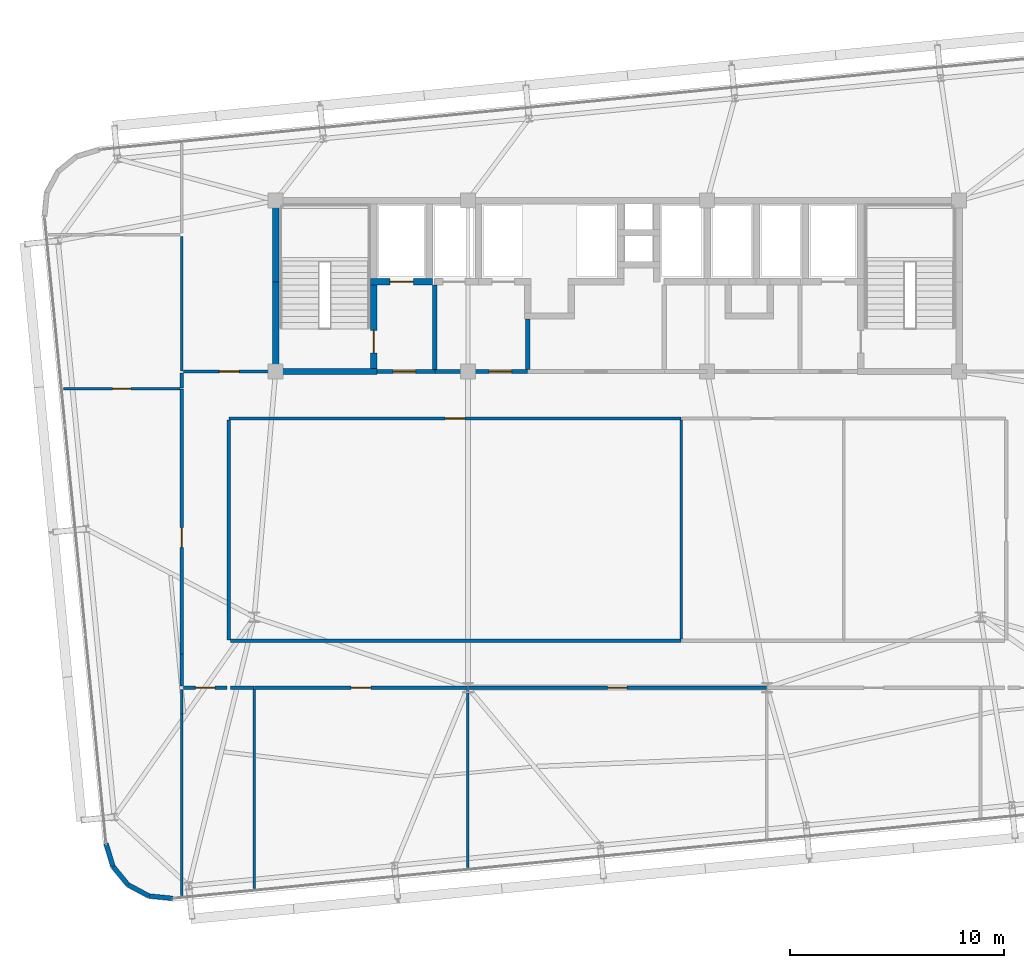
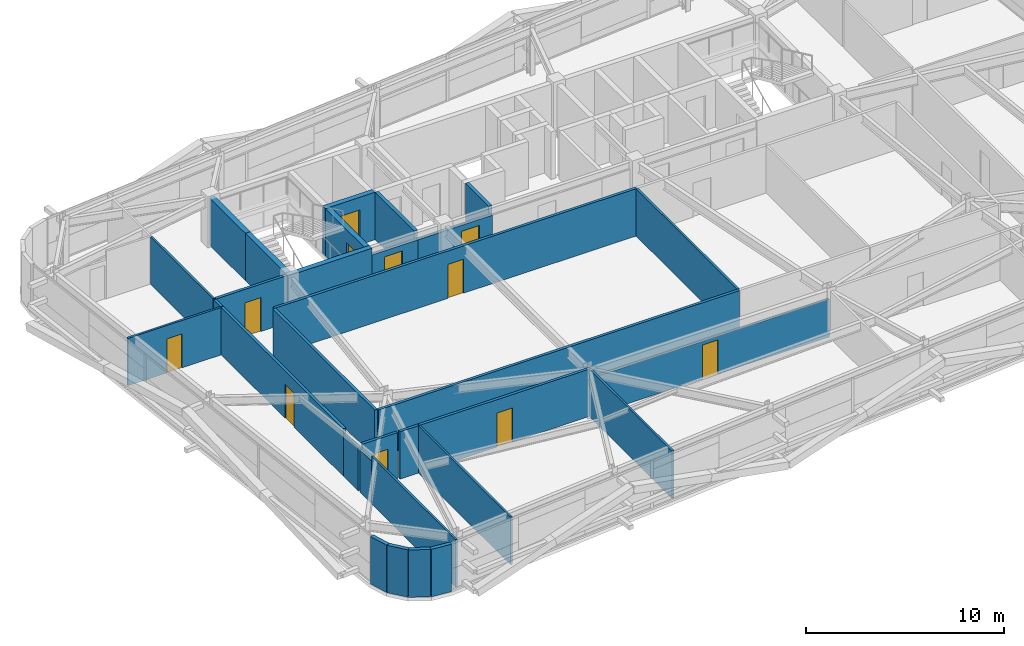
# One storey, part 41 of 47: 31 walls, 11 doors, 11 openings.
"""IFC4 building model written with IfcOpenShell, lengths in metres."""

from ifc_helpers import new_model, si_unit, direction, frame, frame_2d, origin, place, context, subcontext, project, spatial, rectangle, extrude, source, transform, mapped, material, layer, layer_set, type_object, element, fill, save


model = new_model("IFC4")

# Units and contexts
model_context = context("Model", 3, precision=1e-05, world=origin(), true_north=direction((0.0, 1.0)))
body_context = subcontext(model_context, "Body", "Model", "MODEL_VIEW")
ifc_project = project(units=[si_unit("LENGTHUNIT", "METRE"), si_unit("AREAUNIT", "SQUARE_METRE"), si_unit("VOLUMEUNIT", "CUBIC_METRE"), si_unit("PLANEANGLEUNIT", "RADIAN"), si_unit("MASSUNIT", "GRAM", prefix="KILO")], contexts=[model_context])

# Site, building, storey
site_placement = place(None, origin())
site = spatial("IfcSite", under=ifc_project, at=site_placement, CompositionType="ELEMENT")
building_placement = place(site_placement, origin())
building = spatial("IfcBuilding", under=site, at=building_placement, Name="Taldren Reach Tower", CompositionType="ELEMENT")
storey_placement = place(building_placement, frame((0.0, 0.0, 106.050048828125)))
storey = spatial("IfcBuildingStorey", under=building, at=storey_placement, Name="L32", CompositionType="ELEMENT", Elevation=106.050048828125)

# Walls
ifc_material_1 = material(Name="Pale Champagne Anodised Aluminium Cladding", Category="aluminium")
ifc_layer_1 = layer(ifc_material_1, 0.04, Name="Pale Champagne Anodised Aluminium Cladding", Category="aluminium")
ifc_material_2 = material(Name="Mineral Wool Acoustic Insulation", Category="insulation")
ifc_layer_2 = layer(ifc_material_2, 0.06, Name="Mineral Wool Acoustic Insulation", Category="insulation")
ifc_material_3 = material(Name="Steel Gr 350 (C350L0)", Category="steel")
ifc_layer_3 = layer(ifc_material_3, 0.12, Name="Steel Gr 350 (C350L0)", Category="steel")
ifc_layer_set_1 = layer_set([ifc_layer_1, ifc_layer_2, ifc_layer_3], Name="Pale Champagne Aluminium Cladding and Steel Gr 350 Stud Framing")
wall_type_1 = type_object("IfcWallType", Name="EW-CRN-220", PredefinedType="SOLIDWALL", material=ifc_layer_set_1)
shared_shape_1 = source(origin(), body_context, "Body", "SweptSolid", [
    extrude(rectangle(XDim=1.115966796875, YDim=0.219970703125, at=frame_2d((0.55810546875, 0.0))), origin(), (0.0, 0.0, 1.0), 2.929931640625),
])
for number, where, z_axis, x_axis, name in (
    (1, (11.062255859375, 1.90185546875, 0.0), (0.0, 0.0, 1.0), (0.289855603468, -0.957070388811, 0.0), "Rounded-corner pale-metal facade wall L32-SW1"),
    (2, (11.3857421875, 0.833740234375, 0.0), (0.0, 0.0, 1.0), (0.633988016432, -0.773342870285, 0.0), "Rounded-corner pale-metal facade wall L32-SW2"),
    (3, (13.0771484375, -0.5556640625, 0.0), (0.0, 0.0, 1.0), (0.995142755671, -0.09844234778, 0.0), "Rounded-corner pale-metal facade wall L32-SW4"),
):
    element("IfcWall", number, at=place(storey_placement, frame(where, z_axis=z_axis, x_axis=x_axis)), inside=storey, type_object=wall_type_1, Name=name, PredefinedType="SOLIDWALL", context=body_context, shape_type="MappedRepresentation", body=[
        mapped(shared_shape_1, transform((0.0, 0.0, 0.0), scale=1.0)),
    ])
shared_shape_2 = source(origin(), body_context, "Body", "SweptSolid", [
    extrude(rectangle(XDim=1.11572265625, YDim=0.219970703125, at=frame_2d((0.557861328125, 0.0))), origin(), (0.0, 0.0, 1.0), 2.929931640625),
])
wall_1_placement = place(storey_placement, frame((12.09326171875, -0.029296875, 0.0), z_axis=(0.0, 0.0, 1.0), x_axis=(0.881746547635, -0.471723463201, 0.0)))
element("IfcWall", 4, at=wall_1_placement, inside=storey, type_object=wall_type_1, Name="Rounded-corner pale-metal facade wall L32-SW3", PredefinedType="SOLIDWALL", context=body_context, shape_type="MappedRepresentation", body=[
    mapped(shared_shape_2, transform((0.0, 0.0, 0.0), scale=1.0)),
])

# Wall, opening, door
ifc_material_4 = material(Name="Concrete S50 (50 MPa)", Category="concrete")
ifc_layer_4 = layer(ifc_material_4, 0.199951171875)
ifc_layer_set_2 = layer_set([ifc_layer_4], Name="Concrete S50 (50 MPa)")
wall_type_2 = type_object("IfcWallType", Name="IW-CORE-200", PredefinedType="SOLIDWALL", material=ifc_layer_set_2)
shared_shape_3 = source(origin(), body_context, "Body", "SweptSolid", [
    extrude(rectangle(XDim=4.35009765625, YDim=0.199951171875, at=frame_2d((2.175048828125, 0.0))), origin(), (0.0, 0.0, 1.0), 2.469970703125),
])
wall_2_placement = place(storey_placement, frame((30.800048828125, 24.0, 0.0), z_axis=(0.0, 0.0, 1.0), x_axis=(-1.0, 0.0, 0.0)))
wall_2 = element("IfcWall", 5, at=wall_2_placement, inside=storey, type_object=wall_type_2, Name="Rear Core Shear Wall W-INT-L32-033", PredefinedType="SOLIDWALL", context=body_context, shape_type="MappedRepresentation", body=[
    mapped(shared_shape_3, transform((0.0, 0.0, 0.0), scale=1.0)),
])
shared_shape_4 = source(origin(), body_context, "Body", "SweptSolid", [
    extrude(rectangle(XDim=1.050048828125, YDim=2.10009765625, at=frame_2d((0.52490234375, 1.050048828125))), frame((0.0, 0.10986328125, 0.0), z_axis=(0.0, -1.0, 0.0), x_axis=(1.0, 0.0, 0.0)), (0.0, 0.0, 1.0), 0.219970703125),
])
opening_1_placement = place(wall_2_placement, frame((0.75, 0.0, 0.0)))
opening_1 = element("IfcOpeningElement", 6, at=opening_1_placement, cuts=wall_2, Name="Opening DF-105", PredefinedType="OPENING", context=body_context, shape_type="MappedRepresentation", body=[
    mapped(shared_shape_4, transform((0.0, 0.0, 0.0), scale=1.0)),
])
ifc_material_5 = material(Name="Fire-Rated Care and Stair Exit Door")
door_type_1 = type_object("IfcDoorType", Name="ID-FIRE-105", OperationType="NOTDEFINED", PredefinedType="DOOR", material=ifc_material_5)
shared_shape_5 = source(origin(), body_context, "Body", "SweptSolid", [
    extrude(rectangle(XDim=1.050048828125, YDim=2.10009765625, at=frame_2d((0.52490234375, 1.050048828125))), frame((0.0, 0.02490234375, 0.0), z_axis=(0.0, -1.0, 0.0), x_axis=(1.0, 0.0, 0.0)), (0.0, 0.0, 1.0), 0.050048828125),
])
door_1_placement = place(opening_1_placement, frame((1.050048828125, 0.0, 0.0), z_axis=(0.0, 0.0, 1.0), x_axis=(-1.0, 0.0, 0.0)))
door_1 = element("IfcDoor", 7, at=door_1_placement, inside=storey, type_object=door_type_1, Name="Interior Door DR-L32-005", OperationType="SINGLE_SWING_RIGHT", OverallHeight=2.10009765625, OverallWidth=1.050048828125, PredefinedType="DOOR", context=body_context, shape_type="MappedRepresentation", body=[
    mapped(shared_shape_5, transform((0.0, 0.0, 0.0), scale=1.0)),
])
fill(opening_1, door_1)

# Wall
ifc_material_6 = material(Name="Fire-Rated Acoustic Plasterboard Stud Wall", Category="gypsum")
ifc_layer_5 = layer(ifc_material_6, 0.159912109375)
ifc_layer_set_3 = layer_set([ifc_layer_5], Name="Fire-Rated Acoustic Plasterboard Stud Wall")
wall_type_3 = type_object("IfcWallType", Name="IW-FIRE-160", PredefinedType="PARTITIONING", material=ifc_layer_set_3)
shared_shape_6 = source(origin(), body_context, "Body", "SweptSolid", [
    extrude(rectangle(XDim=10.2998046875, YDim=0.159912109375, at=frame_2d((5.14990234375, 0.0))), origin(), (0.0, 0.0, 1.0), 2.929931640625),
])
wall_3_placement = place(storey_placement, frame((16.800048828125, 21.719970703125, 0.0), z_axis=(0.0, 0.0, 1.0), x_axis=(0.0, -1.0, 0.0)))
element("IfcWall", 8, at=wall_3_placement, inside=storey, type_object=wall_type_3, Name="Interior Partition Wall W-INT-L32-046", PredefinedType="PARTITIONING", context=body_context, shape_type="MappedRepresentation", body=[
    mapped(shared_shape_6, transform((0.0, 0.0, 0.0), scale=1.0)),
])

# Wall, opening, door
shared_shape_7 = source(origin(), body_context, "Body", "SweptSolid", [
    extrude(rectangle(XDim=2.0400390625, YDim=0.159912109375, at=frame_2d((1.02001953125, 0.0))), origin(), (0.0, 0.0, 1.0), 2.929931640625),
])
wall_4_placement = place(storey_placement, frame((16.719970703125, 9.199951171875, 0.0), z_axis=(0.0, 0.0, 1.0), x_axis=(-1.0, 0.0, 0.0)))
wall_4 = element("IfcWall", 9, at=wall_4_placement, inside=storey, type_object=wall_type_3, Name="Interior Partition Wall W-INT-L32-050", PredefinedType="PARTITIONING", context=body_context, shape_type="MappedRepresentation", body=[
    mapped(shared_shape_7, transform((0.0, 0.0, 0.0), scale=1.0)),
])
shared_shape_8 = source(origin(), body_context, "Body", "SweptSolid", [
    extrude(rectangle(XDim=0.919921875, YDim=2.10009765625, at=frame_2d((0.4599609375, 1.050048828125))), frame((0.0, 0.08984375, 0.0), z_axis=(0.0, -1.0, 0.0), x_axis=(1.0, 0.0, 0.0)), (0.0, 0.0, 1.0), 0.179931640625),
])
opening_2_placement = place(wall_4_placement, frame((0.56005859375, 0.0, 0.0)))
opening_2 = element("IfcOpeningElement", 10, at=opening_2_placement, cuts=wall_4, Name="Opening DI-092", PredefinedType="OPENING", context=body_context, shape_type="MappedRepresentation", body=[
    mapped(shared_shape_8, transform((0.0, 0.0, 0.0), scale=1.0)),
])
ifc_material_7 = material(Name="Solid-Core Timber Suite Door", Category="wood")
door_type_2 = type_object("IfcDoorType", Name="ID-INT-092", OperationType="NOTDEFINED", PredefinedType="DOOR", material=ifc_material_7)
shared_shape_9 = source(origin(), body_context, "Body", "SweptSolid", [
    extrude(rectangle(XDim=0.919921875, YDim=2.10009765625, at=frame_2d((0.4599609375, 1.050048828125))), frame((0.0, 0.02490234375, 0.0), z_axis=(0.0, -1.0, 0.0), x_axis=(1.0, 0.0, 0.0)), (0.0, 0.0, 1.0), 0.050048828125),
])
door_2_placement = place(opening_2_placement, origin())
door_2 = element("IfcDoor", 11, at=door_2_placement, inside=storey, type_object=door_type_2, Name="Interior Door DR-L32-011", OperationType="SINGLE_SWING_RIGHT", OverallHeight=2.10009765625, OverallWidth=0.919921875, PredefinedType="DOOR", context=body_context, shape_type="MappedRepresentation", body=[
    mapped(shared_shape_9, transform((0.0, 0.0, 0.0), scale=1.0)),
])
fill(opening_2, door_2)

# Wall
shared_shape_10 = source(origin(), body_context, "Body", "SweptSolid", [
    extrude(rectangle(XDim=1.099853515625, YDim=0.159912109375, at=frame_2d((0.5498046875, 0.0))), origin(), (0.0, 0.0, 1.0), 2.929931640625),
])
wall_5_placement = place(storey_placement, frame((17.979736328125, 9.199951171875, 0.0), z_axis=(0.0, 0.0, 1.0), x_axis=(-1.0, 0.0, 0.0)))
element("IfcWall", 12, at=wall_5_placement, inside=storey, type_object=wall_type_3, Name="Interior Partition Wall W-INT-L32-060", PredefinedType="PARTITIONING", context=body_context, shape_type="MappedRepresentation", body=[
    mapped(shared_shape_10, transform((0.0, 0.0, 0.0), scale=1.0)),
])

# Wall, opening, door
shared_shape_11 = source(origin(), body_context, "Body", "SweptSolid", [
    extrude(rectangle(XDim=9.95947265625, YDim=0.159912109375, at=frame_2d((4.979736328125, 0.0))), origin(), (0.0, 0.0, 1.0), 2.929931640625),
])
wall_6_placement = place(storey_placement, frame((27.979736328125, 9.199951171875, 0.0), z_axis=(0.0, 0.0, 1.0), x_axis=(-1.0, 0.0, 0.0)))
wall_6 = element("IfcWall", 13, at=wall_6_placement, inside=storey, type_object=wall_type_3, Name="Interior Partition Wall W-INT-L32-061", PredefinedType="PARTITIONING", context=body_context, shape_type="MappedRepresentation", body=[
    mapped(shared_shape_11, transform((0.0, 0.0, 0.0), scale=1.0)),
])
opening_3_placement = place(wall_6_placement, frame((4.519775390625, 0.0, 0.0)))
opening_3 = element("IfcOpeningElement", 14, at=opening_3_placement, cuts=wall_6, Name="Opening DI-092", PredefinedType="OPENING", context=body_context, shape_type="MappedRepresentation", body=[
    mapped(shared_shape_8, transform((0.0, 0.0, 0.0), scale=1.0)),
])
door_3_placement = place(opening_3_placement, origin())
door_3 = element("IfcDoor", 15, at=door_3_placement, inside=storey, type_object=door_type_2, Name="Interior Door DR-L32-016", OperationType="SINGLE_SWING_LEFT", OverallHeight=2.10009765625, OverallWidth=0.919921875, PredefinedType="DOOR", context=body_context, shape_type="MappedRepresentation", body=[
    mapped(shared_shape_9, transform((0.0, 0.0, 0.0), scale=1.0)),
])
fill(opening_3, door_3)

shared_shape_12 = source(origin(), body_context, "Body", "SweptSolid", [
    extrude(rectangle(XDim=13.95947265625, YDim=0.159912109375, at=frame_2d((6.979736328125, 0.0))), origin(), (0.0, 0.0, 1.0), 2.327880859375),
])
wall_7_placement = place(storey_placement, frame((41.979736328125, 9.199951171875, 0.0), z_axis=(0.0, 0.0, 1.0), x_axis=(-1.0, 0.0, 0.0)))
wall_7 = element("IfcWall", 16, at=wall_7_placement, inside=storey, type_object=wall_type_3, Name="Interior Partition Wall W-INT-L32-062", PredefinedType="PARTITIONING", context=body_context, shape_type="MappedRepresentation", body=[
    mapped(shared_shape_12, transform((0.0, 0.0, 0.0), scale=1.0)),
])
opening_4_placement = place(wall_7_placement, frame((6.519775390625, 0.0, 0.0)))
opening_4 = element("IfcOpeningElement", 17, at=opening_4_placement, cuts=wall_7, Name="Opening DI-092", PredefinedType="OPENING", context=body_context, shape_type="MappedRepresentation", body=[
    mapped(shared_shape_8, transform((0.0, 0.0, 0.0), scale=1.0)),
])
door_4_placement = place(opening_4_placement, origin())
door_4 = element("IfcDoor", 18, at=door_4_placement, inside=storey, type_object=door_type_2, Name="Interior Door DR-L32-017", OperationType="SINGLE_SWING_RIGHT", OverallHeight=2.10009765625, OverallWidth=0.919921875, PredefinedType="DOOR", context=body_context, shape_type="MappedRepresentation", body=[
    mapped(shared_shape_9, transform((0.0, 0.0, 0.0), scale=1.0)),
])
fill(opening_4, door_4)

# Wall
ifc_material_8 = material(Name="Insulated Residential Stud Partition", Category="gypsum")
ifc_layer_6 = layer(ifc_material_8, 0.1201171875)
ifc_layer_set_4 = layer_set([ifc_layer_6], Name="Insulated Residential Stud Partition")
wall_type_4 = type_object("IfcWallType", Name="IW-PART-120", PredefinedType="PARTITIONING", material=ifc_layer_set_4)
shared_shape_13 = source(origin(), body_context, "Body", "SweptSolid", [
    extrude(rectangle(XDim=10.239990234375, YDim=0.1201171875, at=frame_2d((5.1201171875, 0.0))), origin(), (0.0, 0.0, 1.0), 2.929931640625),
])
wall_8_placement = place(storey_placement, frame((38.0, 21.719970703125, 0.0), z_axis=(0.0, 0.0, 1.0), x_axis=(0.0, -1.0, 0.0)))
element("IfcWall", 19, at=wall_8_placement, inside=storey, type_object=wall_type_4, Name="Interior Partition Wall W-INT-L32-065", PredefinedType="PARTITIONING", context=body_context, shape_type="MappedRepresentation", body=[
    mapped(shared_shape_13, transform((0.0, 0.0, 0.0), scale=1.0)),
])

# Wall, opening, door
shared_shape_14 = source(origin(), body_context, "Body", "SweptSolid", [
    extrude(rectangle(XDim=21.159423828125, YDim=0.159912109375, at=frame_2d((10.57958984375, 0.0))), origin(), (0.0, 0.0, 1.0), 2.929931640625),
])
wall_9_placement = place(storey_placement, frame((37.979736328125, 21.800048828125, 0.0), z_axis=(0.0, 0.0, 1.0), x_axis=(-1.0, 0.0, 0.0)))
wall_9 = element("IfcWall", 20, at=wall_9_placement, inside=storey, type_object=wall_type_3, Name="Interior Partition Wall W-INT-L32-045", PredefinedType="PARTITIONING", context=body_context, shape_type="MappedRepresentation", body=[
    mapped(shared_shape_14, transform((0.0, 0.0, 0.0), scale=1.0)),
])
opening_5_placement = place(wall_9_placement, frame((10.119873046875, 0.0, 0.0)))
opening_5 = element("IfcOpeningElement", 21, at=opening_5_placement, cuts=wall_9, Name="Opening DI-092", PredefinedType="OPENING", context=body_context, shape_type="MappedRepresentation", body=[
    mapped(shared_shape_8, transform((0.0, 0.0, 0.0), scale=1.0)),
])
door_5_placement = place(opening_5_placement, origin())
door_5 = element("IfcDoor", 22, at=door_5_placement, inside=storey, type_object=door_type_2, Name="Interior Door DR-L32-008", OperationType="SINGLE_SWING_LEFT", OverallHeight=2.10009765625, OverallWidth=0.919921875, PredefinedType="DOOR", context=body_context, shape_type="MappedRepresentation", body=[
    mapped(shared_shape_9, transform((0.0, 0.0, 0.0), scale=1.0)),
])
fill(opening_5, door_5)

# Walls
shared_shape_15 = source(origin(), body_context, "Body", "SweptSolid", [
    extrude(rectangle(XDim=21.099853515625, YDim=0.159912109375, at=frame_2d((10.5498046875, 0.0))), origin(), (0.0, 0.0, 1.0), 2.929931640625),
])
wall_10_placement = place(storey_placement, frame((16.8798828125, 11.39990234375, 0.0), z_axis=(0.0, 0.0, 1.0), x_axis=(1.0, 0.0, 0.0)))
element("IfcWall", 23, at=wall_10_placement, inside=storey, type_object=wall_type_3, Name="Interior Partition Wall W-INT-L32-057", PredefinedType="PARTITIONING", context=body_context, shape_type="MappedRepresentation", body=[
    mapped(shared_shape_15, transform((0.0, 0.0, 0.0), scale=1.0)),
])
ifc_material_9 = material(Name="Concrete S65 (65 MPa)", Category="concrete")
ifc_layer_7 = layer(ifc_material_9, 0.300048828125)
ifc_layer_set_5 = layer_set([ifc_layer_7], Name="Concrete S65 (65 MPa)")
wall_type_5 = type_object("IfcWallType", Name="IW-CORE-300", PredefinedType="SHEAR", material=ifc_layer_set_5)
shared_shape_16 = source(origin(), body_context, "Body", "SweptSolid", [
    extrude(rectangle(XDim=4.050048828125, YDim=0.300048828125, at=frame_2d((2.02490234375, 0.0))), origin(), (0.0, 0.0, 1.0), 2.929931640625),
])
wall_11_placement = place(storey_placement, frame((19.0, 24.14990234375, 0.0), z_axis=(0.0, 0.0, 1.0), x_axis=(0.0, 1.0, 0.0)))
element("IfcWall", 24, at=wall_11_placement, inside=storey, type_object=wall_type_5, Name="Rear Core Shear Wall W-CORE-L32-WEST1", PredefinedType="SHEAR", context=body_context, shape_type="MappedRepresentation", body=[
    mapped(shared_shape_16, transform((0.0, 0.0, 0.0), scale=1.0)),
])
shared_shape_17 = source(origin(), body_context, "Body", "SweptSolid", [
    extrude(rectangle(XDim=3.650146484375, YDim=0.300048828125, at=frame_2d((1.8251953125, 0.0))), origin(), (0.0, 0.0, 1.0), 2.929931640625),
])
wall_12_placement = place(storey_placement, frame((19.0, 28.199951171875, 0.0), z_axis=(0.0, 0.0, 1.0), x_axis=(0.0, 1.0, 0.0)))
element("IfcWall", 25, at=wall_12_placement, inside=storey, type_object=wall_type_5, Name="Rear Core Shear Wall W-CORE-L32-WEST2", PredefinedType="SHEAR", context=body_context, shape_type="MappedRepresentation", body=[
    mapped(shared_shape_17, transform((0.0, 0.0, 0.0), scale=1.0)),
])

# Wall, opening, door
shared_shape_18 = source(origin(), body_context, "Body", "SweptSolid", [
    extrude(rectangle(XDim=3.900146484375, YDim=0.300048828125, at=frame_2d((1.9501953125, 0.0))), origin(), (0.0, 0.0, 1.0), 2.929931640625),
])
wall_13_placement = place(storey_placement, frame((23.60009765625, 24.14990234375, 0.0), z_axis=(0.0, 0.0, 1.0), x_axis=(0.0, 1.0, 0.0)))
wall_13 = element("IfcWall", 26, at=wall_13_placement, inside=storey, type_object=wall_type_5, Name="Rear Core Shear Wall W-INT-L32-002", PredefinedType="SHEAR", context=body_context, shape_type="MappedRepresentation", body=[
    mapped(shared_shape_18, transform((0.0, 0.0, 0.0), scale=1.0)),
])
shared_shape_19 = source(origin(), body_context, "Body", "SweptSolid", [
    extrude(rectangle(XDim=1.050048828125, YDim=2.10009765625, at=frame_2d((0.52490234375, 1.050048828125))), frame((0.0, 0.16015625, 0.0), z_axis=(0.0, -1.0, 0.0), x_axis=(1.0, 0.0, 0.0)), (0.0, 0.0, 1.0), 0.320068359375),
])
opening_6_placement = place(wall_13_placement, frame((0.72509765625, 0.0, 0.0)))
opening_6 = element("IfcOpeningElement", 27, at=opening_6_placement, cuts=wall_13, Name="Opening DF-105", PredefinedType="OPENING", context=body_context, shape_type="MappedRepresentation", body=[
    mapped(shared_shape_19, transform((0.0, 0.0, 0.0), scale=1.0)),
])
door_6_placement = place(opening_6_placement, origin())
door_6 = element("IfcDoor", 28, at=door_6_placement, inside=storey, type_object=door_type_1, Name="Fire Exit Stair Door DR-L32-001", OperationType="SINGLE_SWING_LEFT", OverallHeight=2.10009765625, OverallWidth=1.050048828125, PredefinedType="DOOR", context=body_context, shape_type="MappedRepresentation", body=[
    mapped(shared_shape_5, transform((0.0, 0.0, 0.0), scale=1.0)),
])
fill(opening_6, door_6)

# Wall
shared_shape_20 = source(origin(), body_context, "Body", "SweptSolid", [
    extrude(rectangle(XDim=4.89990234375, YDim=0.300048828125, at=frame_2d((2.449951171875, 0.0))), origin(), (0.0, 0.0, 1.0), 2.929931640625),
])
wall_14_placement = place(storey_placement, frame((18.85009765625, 24.0, 0.0), z_axis=(0.0, 0.0, 1.0), x_axis=(1.0, 0.0, 0.0)))
element("IfcWall", 29, at=wall_14_placement, inside=storey, type_object=wall_type_5, Name="Rear Core Shear Wall W-INT-L32-003", PredefinedType="SHEAR", context=body_context, shape_type="MappedRepresentation", body=[
    mapped(shared_shape_20, transform((0.0, 0.0, 0.0), scale=1.0)),
])

# Wall, opening, door
shared_shape_21 = source(origin(), body_context, "Body", "SweptSolid", [
    extrude(rectangle(XDim=2.900146484375, YDim=0.300048828125, at=frame_2d((1.4501953125, 0.0))), origin(), (0.0, 0.0, 1.0), 2.929931640625),
])
wall_15_placement = place(storey_placement, frame((23.449951171875, 28.199951171875, 0.0), z_axis=(0.0, 0.0, 1.0), x_axis=(1.0, 0.0, 0.0)))
wall_15 = element("IfcWall", 30, at=wall_15_placement, inside=storey, type_object=wall_type_5, Name="Rear Core Shear Wall W-INT-L32-004", PredefinedType="SHEAR", context=body_context, shape_type="MappedRepresentation", body=[
    mapped(shared_shape_21, transform((0.0, 0.0, 0.0), scale=1.0)),
])
shared_shape_22 = source(origin(), body_context, "Body", "SweptSolid", [
    extrude(rectangle(XDim=1.10009765625, YDim=2.14990234375, at=frame_2d((0.550048828125, 1.074951171875))), frame((0.0, 0.16015625, 0.0), z_axis=(0.0, -1.0, 0.0), x_axis=(1.0, 0.0, 0.0)), (0.0, 0.0, 1.0), 0.320068359375),
])
opening_7_placement = place(wall_15_placement, frame((0.89990234375, 0.0, 0.0)))
opening_7 = element("IfcOpeningElement", 31, at=opening_7_placement, cuts=wall_15, Name="Opening LD-FL1", PredefinedType="OPENING", context=body_context, shape_type="MappedRepresentation", body=[
    mapped(shared_shape_22, transform((0.0, 0.0, 0.0), scale=1.0)),
])
ifc_material_10 = material(Name="Stainless Steel Gr 316 Emergency Lift Landing Door", Category="steel")
door_type_3 = type_object("IfcDoorType", Name="LD-EMG-110", OperationType="SLIDING_TO_LEFT", PredefinedType="DOOR", material=ifc_material_10)
shared_shape_23 = source(origin(), body_context, "Body", "SweptSolid", [
    extrude(rectangle(XDim=1.10009765625, YDim=2.14990234375, at=frame_2d((0.550048828125, 1.074951171875))), frame((0.0, 0.02490234375, 0.0), z_axis=(0.0, -1.0, 0.0), x_axis=(1.0, 0.0, 0.0)), (0.0, 0.0, 1.0), 0.050048828125),
])
door_7_placement = place(opening_7_placement, origin())
door_7 = element("IfcDoor", 32, at=door_7_placement, inside=storey, type_object=door_type_3, Name="Lift Landing Door LD-FL1-L32", OperationType="SLIDING_TO_LEFT", OverallHeight=2.14990234375, OverallWidth=1.10009765625, PredefinedType="DOOR", context=body_context, shape_type="MappedRepresentation", body=[
    mapped(shared_shape_23, transform((0.0, 0.0, 0.0), scale=1.0)),
])
fill(opening_7, door_7)

# Wall
shared_shape_24 = source(origin(), body_context, "Body", "SweptSolid", [
    extrude(rectangle(XDim=3.949951171875, YDim=0.199951171875, at=frame_2d((1.97509765625, 0.0))), origin(), (0.0, 0.0, 1.0), 2.929931640625),
])
wall_16_placement = place(storey_placement, frame((26.449951171875, 24.10009765625, 0.0), z_axis=(0.0, 0.0, 1.0), x_axis=(0.0, 1.0, 0.0)))
element("IfcWall", 33, at=wall_16_placement, inside=storey, type_object=wall_type_2, Name="Rear Core Shear Wall W-INT-L32-006", PredefinedType="SOLIDWALL", context=body_context, shape_type="MappedRepresentation", body=[
    mapped(shared_shape_24, transform((0.0, 0.0, 0.0), scale=1.0)),
])

# Wall, opening, door
shared_shape_25 = source(origin(), body_context, "Body", "SweptSolid", [
    extrude(rectangle(XDim=2.699951171875, YDim=0.199951171875, at=frame_2d((1.35009765625, 0.0))), origin(), (0.0, 0.0, 1.0), 2.469970703125),
])
wall_17_placement = place(storey_placement, frame((23.75, 24.0, 0.0), z_axis=(0.0, 0.0, 1.0), x_axis=(1.0, 0.0, 0.0)))
wall_17 = element("IfcWall", 34, at=wall_17_placement, inside=storey, type_object=wall_type_2, Name="Rear Core Shear Wall W-INT-L32-007", PredefinedType="SOLIDWALL", context=body_context, shape_type="MappedRepresentation", body=[
    mapped(shared_shape_25, transform((0.0, 0.0, 0.0), scale=1.0)),
])
opening_8_placement = place(wall_17_placement, frame((0.75, 0.0, 0.0)))
opening_8 = element("IfcOpeningElement", 35, at=opening_8_placement, cuts=wall_17, Name="Opening DF-105", PredefinedType="OPENING", context=body_context, shape_type="MappedRepresentation", body=[
    mapped(shared_shape_4, transform((0.0, 0.0, 0.0), scale=1.0)),
])
door_8_placement = place(opening_8_placement, origin())
door_8 = element("IfcDoor", 36, at=door_8_placement, inside=storey, type_object=door_type_1, Name="Interior Door DR-L32-002", OperationType="SINGLE_SWING_LEFT", OverallHeight=2.10009765625, OverallWidth=1.050048828125, PredefinedType="DOOR", context=body_context, shape_type="MappedRepresentation", body=[
    mapped(shared_shape_5, transform((0.0, 0.0, 0.0), scale=1.0)),
])
fill(opening_8, door_8)

# Wall
shared_shape_26 = source(origin(), body_context, "Body", "SweptSolid", [
    extrude(rectangle(XDim=2.349853515625, YDim=0.199951171875, at=frame_2d((1.1748046875, 0.0))), origin(), (0.0, 0.0, 1.0), 2.929931640625),
])
wall_18_placement = place(storey_placement, frame((30.800048828125, 26.449951171875, 0.0), z_axis=(0.0, 0.0, 1.0), x_axis=(0.0, -1.0, 0.0)))
element("IfcWall", 37, at=wall_18_placement, inside=storey, type_object=wall_type_2, Name="Rear Core Shear Wall W-INT-L32-032", PredefinedType="SOLIDWALL", context=body_context, shape_type="MappedRepresentation", body=[
    mapped(shared_shape_26, transform((0.0, 0.0, 0.0), scale=1.0)),
])

# Wall, opening, door
shared_shape_27 = source(origin(), body_context, "Body", "SweptSolid", [
    extrude(rectangle(XDim=4.170166015625, YDim=0.159912109375, at=frame_2d((2.0849609375, 0.0))), origin(), (0.0, 0.0, 1.0), 2.929931640625),
])
wall_19_placement = place(storey_placement, frame((14.679931640625, 24.0, 0.0), z_axis=(0.0, 0.0, 1.0), x_axis=(1.0, 0.0, 0.0)))
wall_19 = element("IfcWall", 38, at=wall_19_placement, inside=storey, type_object=wall_type_3, Name="Interior Partition Wall W-INT-L32-055", PredefinedType="PARTITIONING", context=body_context, shape_type="MappedRepresentation", body=[
    mapped(shared_shape_27, transform((0.0, 0.0, 0.0), scale=1.0)),
])
opening_9_placement = place(wall_19_placement, frame((1.68994140625, 0.0, 0.0)))
opening_9 = element("IfcOpeningElement", 39, at=opening_9_placement, cuts=wall_19, Name="Opening DI-092", PredefinedType="OPENING", context=body_context, shape_type="MappedRepresentation", body=[
    mapped(shared_shape_8, transform((0.0, 0.0, 0.0), scale=1.0)),
])
door_9_placement = place(opening_9_placement, origin())
door_9 = element("IfcDoor", 40, at=door_9_placement, inside=storey, type_object=door_type_2, Name="Interior Door DR-L32-015", OperationType="SINGLE_SWING_RIGHT", OverallHeight=2.10009765625, OverallWidth=0.919921875, PredefinedType="DOOR", context=body_context, shape_type="MappedRepresentation", body=[
    mapped(shared_shape_9, transform((0.0, 0.0, 0.0), scale=1.0)),
])
fill(opening_9, door_9)

# Walls
shared_shape_28 = source(origin(), body_context, "Body", "SweptSolid", [
    extrude(rectangle(XDim=8.3486328125, YDim=0.1201171875, at=frame_2d((4.17431640625, 0.0))), origin(), (0.0, 0.0, 1.0), 2.929931640625),
])
wall_20_placement = place(storey_placement, frame((28.0, 9.1201171875, 0.0), z_axis=(0.0, 0.0, 1.0), x_axis=(0.0, -1.0, 0.0)))
element("IfcWall", 41, at=wall_20_placement, inside=storey, type_object=wall_type_4, Name="Interior Partition Wall W-INT-L32-069", PredefinedType="PARTITIONING", context=body_context, shape_type="MappedRepresentation", body=[
    mapped(shared_shape_28, transform((0.0, 0.0, 0.0), scale=1.0)),
])
shared_shape_29 = source(origin(), body_context, "Body", "SweptSolid", [
    extrude(rectangle(XDim=1.498291015625, YDim=0.159912109375, at=frame_2d((0.7490234375, 0.0))), origin(), (0.0, 0.0, 1.0), 2.623046875),
])
wall_21_placement = place(storey_placement, frame((14.60009765625, 9.280029296875, 0.0), z_axis=(0.0, 0.0, 1.0), x_axis=(0.0, 1.0, 0.0)))
element("IfcWall", 42, at=wall_21_placement, inside=storey, type_object=wall_type_3, Name="Interior Partition Wall W-INT-L32-052", PredefinedType="PARTITIONING", context=body_context, shape_type="MappedRepresentation", body=[
    mapped(shared_shape_29, transform((0.0, 0.0, 0.0), scale=1.0)),
])
shared_shape_30 = source(origin(), body_context, "Body", "SweptSolid", [
    extrude(rectangle(XDim=6.2998046875, YDim=0.1201171875, at=frame_2d((3.14990234375, 0.0))), origin(), (0.0, 0.0, 1.0), 2.929931640625),
])
wall_22_placement = place(storey_placement, frame((14.60009765625, 30.320068359375, 0.0), z_axis=(0.0, 0.0, 1.0), x_axis=(0.0, -1.0, 0.0)))
element("IfcWall", 43, at=wall_22_placement, inside=storey, type_object=wall_type_4, Name="Interior Partition Wall W-INT-L32-075", PredefinedType="PARTITIONING", context=body_context, shape_type="MappedRepresentation", body=[
    mapped(shared_shape_30, transform((0.0, 0.0, 0.0), scale=1.0)),
])
shared_shape_31 = source(origin(), body_context, "Body", "SweptSolid", [
    extrude(rectangle(XDim=1.143310546875, YDim=0.1201171875, at=frame_2d((0.57177734375, 0.0))), origin(), (0.0, 0.0, 1.0), 2.623046875),
])
wall_23_placement = place(storey_placement, frame((14.60009765625, 7.974609375, 0.0), z_axis=(0.0, 0.0, 1.0), x_axis=(0.0, 1.0, 0.0)))
element("IfcWall", 44, at=wall_23_placement, inside=storey, type_object=wall_type_4, Name="Interior Partition Wall W-INT-L32-068 part 2", PredefinedType="PARTITIONING", context=body_context, shape_type="MappedRepresentation", body=[
    mapped(shared_shape_31, transform((0.0, 0.0, 0.0), scale=1.0)),
])
shared_shape_32 = source(origin(), body_context, "Body", "SweptSolid", [
    extrude(rectangle(XDim=8.49951171875, YDim=0.1201171875, at=frame_2d((4.249755859375, 0.0))), origin(), (0.0, 0.0, 1.0), 2.929931640625),
])
wall_24_placement = place(storey_placement, frame((14.60009765625, -0.52490234375, 0.0), z_axis=(0.0, 0.0, 1.0), x_axis=(0.0, 1.0, 0.0)))
element("IfcWall", 45, at=wall_24_placement, inside=storey, type_object=wall_type_4, Name="Interior Partition Wall W-INT-L32-068", PredefinedType="PARTITIONING", context=body_context, shape_type="MappedRepresentation", body=[
    mapped(shared_shape_32, transform((0.0, 0.0, 0.0), scale=1.0)),
])
shared_shape_33 = source(origin(), body_context, "Body", "SweptSolid", [
    extrude(rectangle(XDim=9.3251953125, YDim=0.1201171875, at=frame_2d((4.66259765625, 0.0))), origin(), (0.0, 0.0, 1.0), 2.929931640625),
])
wall_25_placement = place(storey_placement, frame((18.0, 9.117919921875, 0.0), z_axis=(0.0, 0.0, 1.0), x_axis=(0.0, -1.0, 0.0)))
element("IfcWall", 46, at=wall_25_placement, inside=storey, type_object=wall_type_4, Name="Interior Partition Wall W-INT-L32-067", PredefinedType="PARTITIONING", context=body_context, shape_type="MappedRepresentation", body=[
    mapped(shared_shape_33, transform((0.0, 0.0, 0.0), scale=1.0)),
])

# Wall, opening, door
shared_shape_34 = source(origin(), body_context, "Body", "SweptSolid", [
    extrude(rectangle(XDim=12.4013671875, YDim=0.159912109375, at=frame_2d((6.20068359375, 0.0))), origin(), (0.0, 0.0, 1.0), 2.929931640625),
])
wall_26_placement = place(storey_placement, frame((14.60009765625, 10.7783203125, 0.0), z_axis=(0.0, 0.0, 1.0), x_axis=(0.0, 1.0, 0.0)))
wall_26 = element("IfcWall", 47, at=wall_26_placement, inside=storey, type_object=wall_type_3, Name="Interior Partition Wall W-INT-L32-052 part 2", PredefinedType="PARTITIONING", context=body_context, shape_type="MappedRepresentation", body=[
    mapped(shared_shape_34, transform((0.0, 0.0, 0.0), scale=1.0)),
])
opening_10_placement = place(wall_26_placement, frame((4.991455078125, 0.0, 0.0)))
opening_10 = element("IfcOpeningElement", 48, at=opening_10_placement, cuts=wall_26, Name="Opening DI-092", PredefinedType="OPENING", context=body_context, shape_type="MappedRepresentation", body=[
    mapped(shared_shape_8, transform((0.0, 0.0, 0.0), scale=1.0)),
])
door_10_placement = place(opening_10_placement, origin())
door_10 = element("IfcDoor", 49, at=door_10_placement, inside=storey, type_object=door_type_2, Name="Interior Door DR-L32-013", OperationType="SINGLE_SWING_RIGHT", OverallHeight=2.10009765625, OverallWidth=0.919921875, PredefinedType="DOOR", context=body_context, shape_type="MappedRepresentation", body=[
    mapped(shared_shape_9, transform((0.0, 0.0, 0.0), scale=1.0)),
])
fill(opening_10, door_10)

# Wall
shared_shape_35 = source(origin(), body_context, "Body", "SweptSolid", [
    extrude(rectangle(XDim=0.69970703125, YDim=0.159912109375, at=frame_2d((0.349853515625, 0.0))), origin(), (0.0, 0.0, 1.0), 2.929931640625),
])
wall_27_placement = place(storey_placement, frame((14.60009765625, 23.22021484375, 0.0), z_axis=(0.0, 0.0, 1.0), x_axis=(0.0, 1.0, 0.0)))
element("IfcWall", 50, at=wall_27_placement, inside=storey, type_object=wall_type_3, Name="Interior Partition Wall W-INT-L32-053", PredefinedType="PARTITIONING", context=body_context, shape_type="MappedRepresentation", body=[
    mapped(shared_shape_35, transform((0.0, 0.0, 0.0), scale=1.0)),
])

# Wall, opening, door
shared_shape_36 = source(origin(), body_context, "Body", "SweptSolid", [
    extrude(rectangle(XDim=5.44384765625, YDim=0.1201171875, at=frame_2d((2.721923828125, 0.0))), origin(), (0.0, 0.0, 1.0), 2.929931640625),
])
wall_28_placement = place(storey_placement, frame((9.07421875, 23.199951171875, 0.0), z_axis=(0.0, 0.0, 1.0), x_axis=(1.0, 0.0, 0.0)))
wall_28 = element("IfcWall", 51, at=wall_28_placement, inside=storey, type_object=wall_type_4, Name="Interior Partition Wall W-INT-L32-073", PredefinedType="PARTITIONING", context=body_context, shape_type="MappedRepresentation", body=[
    mapped(shared_shape_36, transform((0.0, 0.0, 0.0), scale=1.0)),
])
shared_shape_37 = source(origin(), body_context, "Body", "SweptSolid", [
    extrude(rectangle(XDim=0.860107421875, YDim=2.10009765625, at=frame_2d((0.43017578125, 1.050048828125))), frame((0.0, 0.070068359375, 0.0), z_axis=(0.0, -1.0, 0.0), x_axis=(1.0, 0.0, 0.0)), (0.0, 0.0, 1.0), 0.14013671875),
])
opening_11_placement = place(wall_28_placement, frame((2.2919921875, 0.0, 0.0)))
opening_11 = element("IfcOpeningElement", 52, at=opening_11_placement, cuts=wall_28, Name="Opening DI-086", PredefinedType="OPENING", context=body_context, shape_type="MappedRepresentation", body=[
    mapped(shared_shape_37, transform((0.0, 0.0, 0.0), scale=1.0)),
])
ifc_material_11 = material(Name="Timber Bathroom Door", Category="wood")
door_type_4 = type_object("IfcDoorType", Name="ID-INT-086", OperationType="NOTDEFINED", PredefinedType="DOOR", material=ifc_material_11)
shared_shape_38 = source(origin(), body_context, "Body", "SweptSolid", [
    extrude(rectangle(XDim=0.860107421875, YDim=2.10009765625, at=frame_2d((0.43017578125, 1.050048828125))), frame((0.0, 0.02490234375, 0.0), z_axis=(0.0, -1.0, 0.0), x_axis=(1.0, 0.0, 0.0)), (0.0, 0.0, 1.0), 0.050048828125),
])
door_11_placement = place(opening_11_placement, origin())
door_11 = element("IfcDoor", 53, at=door_11_placement, inside=storey, type_object=door_type_4, Name="Interior Door DR-L32-019", OperationType="SINGLE_SWING_RIGHT", OverallHeight=2.10009765625, OverallWidth=0.860107421875, PredefinedType="DOOR", context=body_context, shape_type="MappedRepresentation", body=[
    mapped(shared_shape_38, transform((0.0, 0.0, 0.0), scale=1.0)),
])
fill(opening_11, door_11)

save(model, "model.ifc")
